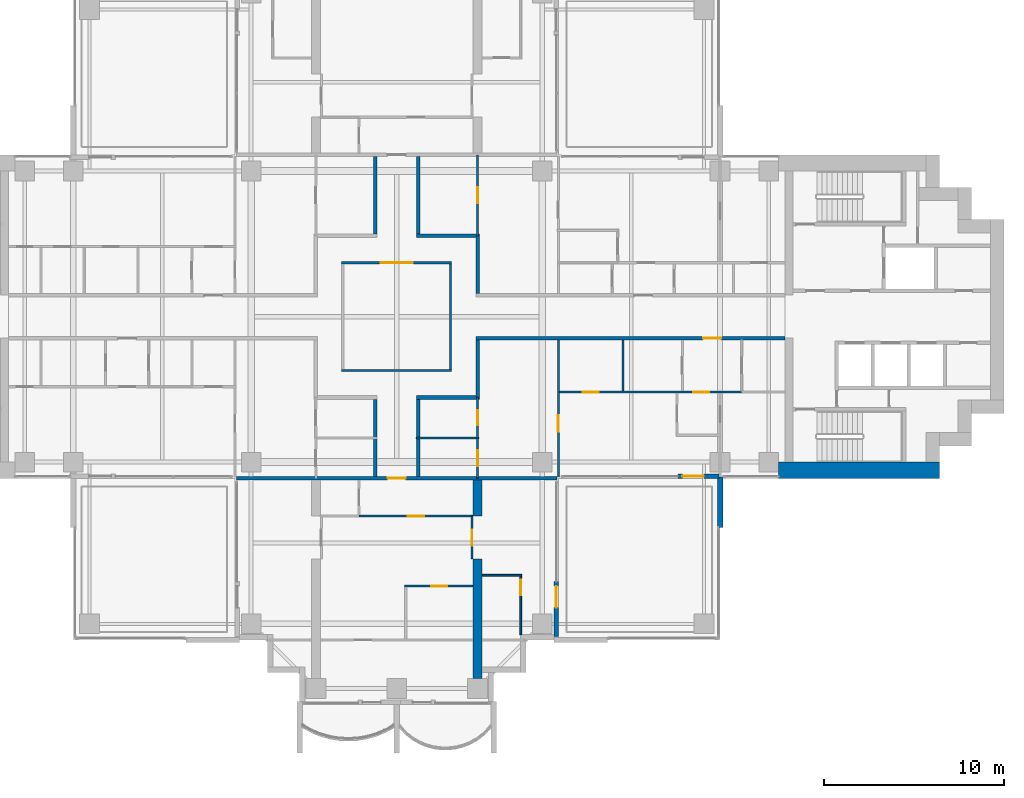
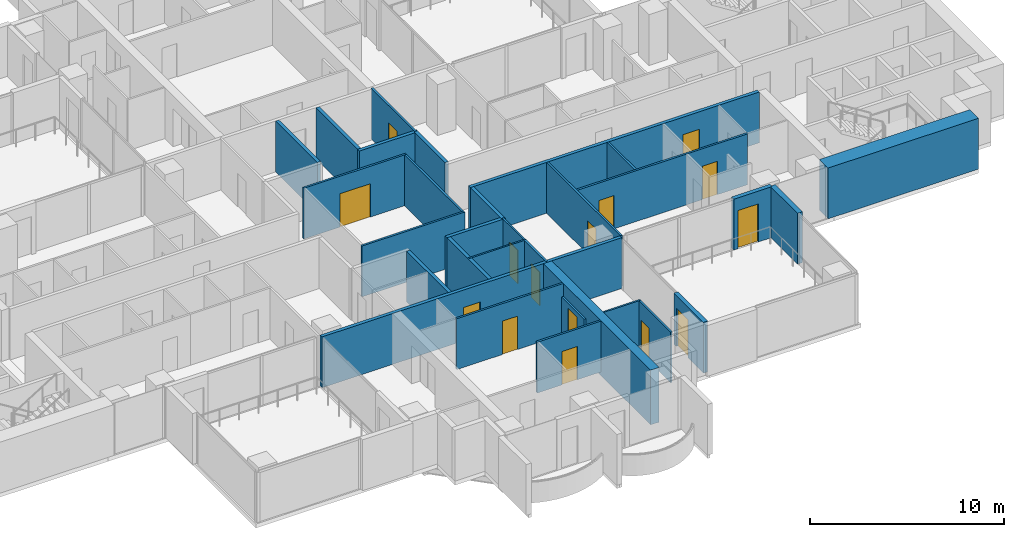
# One storey, part 11 of 19: 30 walls, 15 doors, 15 openings.
"""IFC4 building model written with IfcOpenShell, lengths in metres."""

from ifc_helpers import new_model, si_unit, direction, frame, frame_2d, origin, place, context, subcontext, project, spatial, polyline, rectangle, outline, extrude, material, layer, layer_set, material_profile, profile_set, type_object, element, fill, save


model = new_model("IFC4")

# Units and contexts
model_context = context("Model", 3, precision=1e-05, world=origin(), true_north=direction((0.0, 1.0)))
body_context = subcontext(model_context, "Body", "Model", "MODEL_VIEW")
ifc_project = project(units=[si_unit("LENGTHUNIT", "METRE"), si_unit("AREAUNIT", "SQUARE_METRE"), si_unit("VOLUMEUNIT", "CUBIC_METRE"), si_unit("PLANEANGLEUNIT", "RADIAN"), si_unit("MASSUNIT", "GRAM", prefix="KILO")], contexts=[model_context])

# Site, building, storey
site_placement = place(None, origin())
site = spatial("IfcSite", under=ifc_project, at=site_placement, CompositionType="ELEMENT")
building_placement = place(site_placement, origin())
building = spatial("IfcBuilding", under=site, at=building_placement, Name="Perihelion Cross Residences", CompositionType="ELEMENT")
storey_placement = place(building_placement, frame((0.0, 0.0, 151.39990234375)))
storey = spatial("IfcBuildingStorey", under=building, at=storey_placement, Name="L37", CompositionType="ELEMENT", Elevation=151.39990234375)

# Walls
ifc_material_1 = material(Name="Plasterboard partition")
ifc_layer_1 = layer(ifc_material_1, 0.199951171875)
ifc_layer_set_1 = layer_set([ifc_layer_1], Name="Apartment separation wall 200")
wall_type_1 = type_object("IfcWallType", Name="Apartment separation wall 200", PredefinedType="PARTITIONING", material=ifc_layer_set_1)
wall_1_placement = place(storey_placement, frame((4.5, 4.5, 0.0), z_axis=(0.0, 0.0, 1.0), x_axis=(0.0, -1.0, 0.0)))
element("IfcWall", 1, at=wall_1_placement, inside=storey, type_object=wall_type_1, Name="Partition L37 W006", PredefinedType="PARTITIONING", context=body_context, shape_type="SweptSolid", body=[
    extrude(rectangle(XDim=3.199951171875, YDim=0.199951171875, at=frame_2d((1.60009765625, 0.0))), origin(), (0.0, 0.0, 1.0), 3.2001953125),
])
wall_2_placement = place(storey_placement, frame((1.199951171875, 8.89990234375, 0.0), z_axis=(0.0, 0.0, 1.0), x_axis=(0.0, -1.0, 0.0)))
element("IfcWall", 2, at=wall_2_placement, inside=storey, type_object=wall_type_1, Name="Partition L37 W007", PredefinedType="PARTITIONING", context=body_context, shape_type="SweptSolid", body=[
    extrude(rectangle(XDim=4.2998046875, YDim=0.199951171875, at=frame_2d((2.14990234375, 0.0))), origin(), (0.0, 0.0, 1.0), 3.2001953125),
])
wall_3_placement = place(storey_placement, frame((1.10009765625, 4.5, 0.0), z_axis=(0.0, 0.0, 1.0), x_axis=(1.0, 0.0, 0.0)))
element("IfcWall", 3, at=wall_3_placement, inside=storey, type_object=wall_type_1, Name="Partition L37 W008", PredefinedType="PARTITIONING", context=body_context, shape_type="SweptSolid", body=[
    extrude(rectangle(XDim=3.5, YDim=0.199951171875, at=frame_2d((1.75, 0.0))), origin(), (0.0, 0.0, 1.0), 3.2001953125),
])

# Wall, opening, door
wall_4_placement = place(storey_placement, frame((21.60009765625, -1.199951171875, 0.0), z_axis=(0.0, 0.0, 1.0), x_axis=(-1.0, 0.0, 0.0)))
wall_4 = element("IfcWall", 4, at=wall_4_placement, inside=storey, type_object=wall_type_1, Name="Partition L37 W009", PredefinedType="PARTITIONING", context=body_context, shape_type="SweptSolid", body=[
    extrude(rectangle(XDim=17.2001953125, YDim=0.199951171875, at=frame_2d((8.60009765625, 0.0))), origin(), (0.0, 0.0, 1.0), 3.2001953125),
])
opening_1_placement = place(wall_4_placement, frame((3.550048828125, 0.0, 0.0)))
opening_1 = element("IfcOpeningElement", 5, at=opening_1_placement, cuts=wall_4, Name="Opening L37.A51", PredefinedType="OPENING", context=body_context, shape_type="SweptSolid", body=[
    extrude(rectangle(XDim=1.0, YDim=2.10009765625, at=frame_2d((0.5, 1.050048828125))), frame((0.0, 0.10986328125, 0.0), z_axis=(0.0, -1.0, 0.0), x_axis=(1.0, 0.0, 0.0)), (0.0, 0.0, 1.0), 0.219970703125),
])
ifc_material_2 = material(Name="Timber door leaf", Category="wood")
door_type_1 = type_object("IfcDoorType", Name="Flat entrance door 1000 x 2100", OperationType="SINGLE_SWING_LEFT", PredefinedType="DOOR", material=ifc_material_2)
door_1_placement = place(opening_1_placement, origin())
door_1 = element("IfcDoor", 6, at=door_1_placement, inside=storey, type_object=door_type_1, Name="Door L37.A51", OperationType="SINGLE_SWING_LEFT", OverallHeight=2.10009765625, OverallWidth=1.0, PredefinedType="DOOR", context=body_context, shape_type="SweptSolid", body=[
    extrude(rectangle(XDim=1.0, YDim=2.10009765625, at=frame_2d((0.5, 1.050048828125))), frame((0.0, 0.02490234375, 0.0), z_axis=(0.0, -1.0, 0.0), x_axis=(1.0, 0.0, 0.0)), (0.0, 0.0, 1.0), 0.050048828125),
])
fill(opening_1, door_1)

# Walls
wall_5_placement = place(storey_placement, frame((4.5, -1.300048828125, 0.0), z_axis=(0.0, 0.0, 1.0), x_axis=(0.0, -1.0, 0.0)))
element("IfcWall", 7, at=wall_5_placement, inside=storey, type_object=wall_type_1, Name="Partition L37 W010", PredefinedType="PARTITIONING", context=body_context, shape_type="SweptSolid", body=[
    extrude(rectangle(XDim=3.199951171875, YDim=0.199951171875, at=frame_2d((1.60009765625, 0.0))), origin(), (0.0, 0.0, 1.0), 3.2001953125),
])
wall_6_placement = place(storey_placement, frame((4.60009765625, -4.5, 0.0), z_axis=(0.0, 0.0, 1.0), x_axis=(-1.0, 0.0, 0.0)))
element("IfcWall", 8, at=wall_6_placement, inside=storey, type_object=wall_type_1, Name="Partition L37 W011", PredefinedType="PARTITIONING", context=body_context, shape_type="SweptSolid", body=[
    extrude(rectangle(XDim=3.5, YDim=0.199951171875, at=frame_2d((1.75, 0.0))), origin(), (0.0, 0.0, 1.0), 3.2001953125),
])
for number, where, z_axis, x_axis, name in (
    (9, (1.199951171875, -4.60009765625, 0.0), (0.0, 0.0, 1.0), (0.0, -1.0, 0.0), "Partition L37 W012"),
    (10, (-1.199951171875, 4.60009765625, 0.0), (0.0, 0.0, 1.0), (0.0, 1.0, 0.0), "Partition L37 W016"),
    (11, (-1.199951171875, -8.89990234375, 0.0), (0.0, 0.0, 1.0), (0.0, 1.0, 0.0), "Partition L37 W019"),
):
    element("IfcWall", number, at=place(storey_placement, frame(where, z_axis=z_axis, x_axis=x_axis)), inside=storey, type_object=wall_type_1, Name=name, PredefinedType="PARTITIONING", context=body_context, shape_type="SweptSolid", body=[
        extrude(rectangle(XDim=4.2998046875, YDim=0.199951171875, at=frame_2d((2.14990234375, 0.0))), origin(), (0.0, 0.0, 1.0), 3.2001953125),
    ])

# Wall, opening, door
wall_7_placement = place(storey_placement, frame((8.919921875, -9.0, 0.0), z_axis=(0.0, 0.0, 1.0), x_axis=(-1.0, 0.0, 0.0)))
wall_7 = element("IfcWall", 12, at=wall_7_placement, inside=storey, type_object=wall_type_1, Name="Partition L37 W022", PredefinedType="PARTITIONING", context=body_context, shape_type="SweptSolid", body=[
    extrude(rectangle(XDim=17.83984375, YDim=0.199951171875, at=frame_2d((8.919921875, 0.0))), origin(), (0.0, 0.0, 1.0), 3.2001953125),
])
opening_2_placement = place(wall_7_placement, frame((8.419921875, 0.0, 0.0)))
opening_2 = element("IfcOpeningElement", 13, at=opening_2_placement, cuts=wall_7, Name="Opening L37.A44", PredefinedType="OPENING", context=body_context, shape_type="SweptSolid", body=[
    extrude(rectangle(XDim=1.0, YDim=2.10009765625, at=frame_2d((0.5, 1.050048828125))), frame((0.0, 0.10986328125, 0.0), z_axis=(0.0, -1.0, 0.0), x_axis=(1.0, 0.0, 0.0)), (0.0, 0.0, 1.0), 0.219970703125),
])
door_2_placement = place(opening_2_placement, origin())
door_2 = element("IfcDoor", 14, at=door_2_placement, inside=storey, type_object=door_type_1, Name="Door L37.A44", OperationType="SINGLE_SWING_RIGHT", OverallHeight=2.10009765625, OverallWidth=1.0, PredefinedType="DOOR", context=body_context, shape_type="SweptSolid", body=[
    extrude(rectangle(XDim=1.0, YDim=2.10009765625, at=frame_2d((0.5, 1.050048828125))), frame((0.0, 0.02490234375, 0.0), z_axis=(0.0, -1.0, 0.0), x_axis=(1.0, 0.0, 0.0)), (0.0, 0.0, 1.0), 0.050048828125),
])
fill(opening_2, door_2)

ifc_material_3 = material(Name="Concrete C30/37, bronze-clad", Category="concrete")
ifc_layer_2 = layer(ifc_material_3, 0.25)
ifc_layer_set_2 = layer_set([ifc_layer_2], Name="Bronze-clad pier wall 250")
wall_type_2 = type_object("IfcWallType", Name="Bronze-clad pier wall 250", PredefinedType="SOLIDWALL", material=ifc_layer_set_2)
wall_8_placement = place(storey_placement, frame((8.875, -17.800048828125, 0.0), z_axis=(0.0, 0.0, 1.0), x_axis=(0.0, 1.0, 0.0)))
wall_8 = element("IfcWall", 15, at=wall_8_placement, inside=storey, type_object=wall_type_2, Name="Wall FW1 L37 south side east bay 1 pier", PredefinedType="SOLIDWALL", context=body_context, shape_type="SweptSolid", body=[
    extrude(rectangle(XDim=3.050048828125, YDim=0.25, at=frame_2d((1.52490234375, 0.0))), origin(), (0.0, 0.0, 1.0), 3.2001953125),
])
opening_3_placement = place(wall_8_placement, frame((1.60009765625, 0.0, 0.0)))
opening_3 = element("IfcOpeningElement", 16, at=opening_3_placement, cuts=wall_8, Name="Opening L37.E13", PredefinedType="OPENING", context=body_context, shape_type="SweptSolid", body=[
    extrude(rectangle(XDim=1.199951171875, YDim=2.39990234375, at=frame_2d((0.60009765625, 1.199951171875))), frame((0.0, 0.135009765625, 0.0), z_axis=(0.0, -1.0, 0.0), x_axis=(1.0, 0.0, 0.0)), (0.0, 0.0, 1.0), 0.27001953125),
])
ifc_material_4 = material(Name="Bronze anodised aluminium, glazed", Category="aluminium")
door_type_2 = type_object("IfcDoorType", Name="Balcony door 1200 x 2400", OperationType="NOTDEFINED", PredefinedType="DOOR", material=ifc_material_4)
door_3_placement = place(opening_3_placement, origin())
door_3 = element("IfcDoor", 17, at=door_3_placement, inside=storey, type_object=door_type_2, Name="Door L37.E13 south side east bay 1", OperationType="SINGLE_SWING_RIGHT", OverallHeight=2.39990234375, OverallWidth=1.199951171875, PredefinedType="DOOR", context=body_context, shape_type="SweptSolid", body=[
    extrude(rectangle(XDim=1.199951171875, YDim=2.39990234375, at=frame_2d((0.60009765625, 1.199951171875))), frame((0.0, 0.02490234375, 0.0), z_axis=(0.0, -1.0, 0.0), x_axis=(1.0, 0.0, 0.0)), (0.0, 0.0, 1.0), 0.050048828125),
])
fill(opening_3, door_3)

wall_9_placement = place(storey_placement, frame((15.64990234375, -8.875, 0.0), z_axis=(0.0, 0.0, 1.0), x_axis=(1.0, 0.0, 0.0)))
wall_9 = element("IfcWall", 18, at=wall_9_placement, inside=storey, type_object=wall_type_2, Name="Wall FW1 L37 east side south bay 1 pier", PredefinedType="SOLIDWALL", context=body_context, shape_type="SweptSolid", body=[
    extrude(rectangle(XDim=2.2900390625, YDim=0.25, at=frame_2d((1.14501953125, 0.0))), origin(), (0.0, 0.0, 1.0), 3.2001953125),
])
opening_4_placement = place(wall_9_placement, frame((0.25, 0.0, 0.0)))
opening_4 = element("IfcOpeningElement", 19, at=opening_4_placement, cuts=wall_9, Name="Opening L37.E14", PredefinedType="OPENING", context=body_context, shape_type="SweptSolid", body=[
    extrude(rectangle(XDim=1.199951171875, YDim=2.39990234375, at=frame_2d((0.60009765625, 1.199951171875))), frame((0.0, 0.135009765625, 0.0), z_axis=(0.0, -1.0, 0.0), x_axis=(1.0, 0.0, 0.0)), (0.0, 0.0, 1.0), 0.27001953125),
])
door_4_placement = place(opening_4_placement, origin())
door_4 = element("IfcDoor", 20, at=door_4_placement, inside=storey, type_object=door_type_2, Name="Door L37.E14 east side south bay 1", OperationType="SINGLE_SWING_LEFT", OverallHeight=2.39990234375, OverallWidth=1.199951171875, PredefinedType="DOOR", context=body_context, shape_type="SweptSolid", body=[
    extrude(rectangle(XDim=1.199951171875, YDim=2.39990234375, at=frame_2d((0.60009765625, 1.199951171875))), frame((0.0, 0.02490234375, 0.0), z_axis=(0.0, -1.0, 0.0), x_axis=(1.0, 0.0, 0.0)), (0.0, 0.0, 1.0), 0.050048828125),
])
fill(opening_4, door_4)

# Wall
ifc_material_5 = material(Name="Concrete C60/75", Category="concrete")
ifc_layer_3 = layer(ifc_material_5, 0.89990234375)
ifc_layer_set_3 = layer_set([ifc_layer_3], Name="Core wall, outer 900")
wall_type_3 = type_object("IfcWallType", Name="Core wall, outer 900", PredefinedType="SHEAR", material=ifc_layer_set_3)
wall_10_placement = place(storey_placement, frame((21.25, -8.550048828125, 0.0), z_axis=(0.0, 0.0, 1.0), x_axis=(1.0, 0.0, 0.0)))
element("IfcWall", 21, at=wall_10_placement, inside=storey, type_object=wall_type_3, Name="East core core wall, outer", PredefinedType="SHEAR", context=body_context, shape_type="SweptSolid", body=[
    extrude(rectangle(XDim=8.949951171875, YDim=0.89990234375, at=frame_2d((4.47509765625, 0.0))), origin(), (0.0, 0.0, 1.0), 3.2001953125),
])

# Wall, opening, door
ifc_material_6 = material(Name="Plasterboard partition")
ifc_layer_4 = layer(ifc_material_6, 0.1201171875)
ifc_layer_set_4 = layer_set([ifc_layer_4], Name="Infill panel 120")
wall_type_4 = type_object("IfcWallType", Name="Infill panel 120", PredefinedType="PARTITIONING", material=ifc_layer_set_4)
wall_11_placement = place(storey_placement, frame((4.18994140625, -11.10009765625, 0.0), z_axis=(0.0, 0.0, 1.0), x_axis=(0.0, -1.0, 0.0)))
wall_11 = element("IfcWall", 22, at=wall_11_placement, inside=storey, type_object=wall_type_4, Name="Partition L37 WI05", PredefinedType="PARTITIONING", context=body_context, shape_type="SweptSolid", body=[
    extrude(rectangle(XDim=2.39990234375, YDim=0.1201171875, at=frame_2d((1.199951171875, 0.0))), origin(), (0.0, 0.0, 1.0), 2.400146484375),
])
opening_5_placement = place(wall_11_placement, frame((0.75, 0.0, 0.0)))
opening_5 = element("IfcOpeningElement", 23, at=opening_5_placement, cuts=wall_11, Name="Opening L37.A58", PredefinedType="OPENING", context=body_context, shape_type="SweptSolid", body=[
    extrude(rectangle(XDim=0.89990234375, YDim=2.10009765625, at=frame_2d((0.449951171875, 1.050048828125))), frame((0.0, 0.070068359375, 0.0), z_axis=(0.0, -1.0, 0.0), x_axis=(1.0, 0.0, 0.0)), (0.0, 0.0, 1.0), 0.14013671875),
])
ifc_material_7 = material(Name="Timber door leaf", Category="wood")
door_type_3 = type_object("IfcDoorType", Name="Interior room door 900 x 2100", OperationType="SINGLE_SWING_LEFT", PredefinedType="DOOR", material=ifc_material_7)
door_5_placement = place(opening_5_placement, origin())
door_5 = element("IfcDoor", 24, at=door_5_placement, inside=storey, type_object=door_type_3, Name="Door L37.A58", OperationType="SINGLE_SWING_LEFT", OverallHeight=2.10009765625, OverallWidth=0.89990234375, PredefinedType="DOOR", context=body_context, shape_type="SweptSolid", body=[
    extrude(rectangle(XDim=0.89990234375, YDim=2.10009765625, at=frame_2d((0.449951171875, 1.050048828125))), frame((0.0, 0.02490234375, 0.0), z_axis=(0.0, -1.0, 0.0), x_axis=(1.0, 0.0, 0.0)), (0.0, 0.0, 1.0), 0.050048828125),
])
fill(opening_5, door_5)

# Walls
ifc_material_8 = material(Name="Plasterboard partition")
ifc_layer_5 = layer(ifc_material_8, 0.1201171875)
ifc_layer_set_5 = layer_set([ifc_layer_5], Name="Partition wall 120")
wall_type_5 = type_object("IfcWallType", Name="Partition wall 120", PredefinedType="PARTITIONING", material=ifc_layer_set_5)
wall_12_placement = place(storey_placement, frame((-3.06005859375, -3.0, 0.0), z_axis=(0.0, 0.0, 1.0), x_axis=(1.0, 0.0, 0.0)))
element("IfcWall", 25, at=wall_12_placement, inside=storey, type_object=wall_type_5, Name="Partition L37 W001", PredefinedType="PARTITIONING", context=body_context, shape_type="SweptSolid", body=[
    extrude(rectangle(XDim=6.1201171875, YDim=0.1201171875, at=frame_2d((3.06005859375, 0.0))), origin(), (0.0, 0.0, 1.0), 3.2001953125),
])
wall_13_placement = place(storey_placement, frame((3.0, -2.93994140625, 0.0), z_axis=(0.0, 0.0, 1.0), x_axis=(0.0, 1.0, 0.0)))
element("IfcWall", 26, at=wall_13_placement, inside=storey, type_object=wall_type_5, Name="Partition L37 W002", PredefinedType="PARTITIONING", context=body_context, shape_type="SweptSolid", body=[
    extrude(rectangle(XDim=5.8798828125, YDim=0.1201171875, at=frame_2d((2.93994140625, 0.0))), origin(), (0.0, 0.0, 1.0), 3.2001953125),
])

# Wall, opening, door
wall_14_placement = place(storey_placement, frame((3.06005859375, 3.0, 0.0), z_axis=(0.0, 0.0, 1.0), x_axis=(-1.0, 0.0, 0.0)))
wall_14 = element("IfcWall", 27, at=wall_14_placement, inside=storey, type_object=wall_type_5, Name="Partition L37 W003", PredefinedType="PARTITIONING", context=body_context, shape_type="SweptSolid", body=[
    extrude(rectangle(XDim=6.1201171875, YDim=0.1201171875, at=frame_2d((3.06005859375, 0.0))), origin(), (0.0, 0.0, 1.0), 3.2001953125),
])
opening_6_placement = place(wall_14_placement, frame((2.159912109375, 0.0, 0.0)))
opening_6 = element("IfcOpeningElement", 28, at=opening_6_placement, cuts=wall_14, Name="Opening L37.A01", PredefinedType="OPENING", context=body_context, shape_type="SweptSolid", body=[
    extrude(rectangle(XDim=1.800048828125, YDim=2.10009765625, at=frame_2d((0.89990234375, 1.050048828125))), frame((0.0, 0.070068359375, 0.0), z_axis=(0.0, -1.0, 0.0), x_axis=(1.0, 0.0, 0.0)), (0.0, 0.0, 1.0), 0.14013671875),
])
ifc_material_9 = material(Name="Glazed timber door leaf", Category="wood")
door_type_4 = type_object("IfcDoorType", Name="Interior double leaf door 1800 x 2100", OperationType="DOUBLE_DOOR_SINGLE_SWING", PredefinedType="DOOR", material=ifc_material_9)
door_6_placement = place(opening_6_placement, origin())
door_6 = element("IfcDoor", 29, at=door_6_placement, inside=storey, type_object=door_type_4, Name="Door L37.A01", OperationType="SINGLE_SWING_LEFT", OverallHeight=2.10009765625, OverallWidth=1.800048828125, PredefinedType="DOOR", context=body_context, shape_type="SweptSolid", body=[
    extrude(rectangle(XDim=1.800048828125, YDim=2.10009765625, at=frame_2d((0.89990234375, 1.050048828125))), frame((0.0, 0.02490234375, 0.0), z_axis=(0.0, -1.0, 0.0), x_axis=(1.0, 0.0, 0.0)), (0.0, 0.0, 1.0), 0.050048828125),
])
fill(opening_6, door_6)

wall_15_placement = place(storey_placement, frame((4.5, 4.5, 0.0), z_axis=(0.0, 0.0, 1.0), x_axis=(0.0, 1.0, 0.0)))
wall_15 = element("IfcWall", 30, at=wall_15_placement, inside=storey, type_object=wall_type_5, Name="Partition L37 W033", PredefinedType="PARTITIONING", context=body_context, shape_type="SweptSolid", body=[
    extrude(rectangle(XDim=4.5, YDim=0.1201171875, at=frame_2d((2.25, 0.0))), origin(), (0.0, 0.0, 1.0), 3.2001953125),
])
opening_7_placement = place(wall_15_placement, frame((1.800048828125, 0.0, 0.0)))
opening_7 = element("IfcOpeningElement", 31, at=opening_7_placement, cuts=wall_15, Name="Opening L37.A03", PredefinedType="OPENING", context=body_context, shape_type="SweptSolid", body=[
    extrude(rectangle(XDim=0.89990234375, YDim=2.10009765625, at=frame_2d((0.449951171875, 1.050048828125))), frame((0.0, 0.070068359375, 0.0), z_axis=(0.0, -1.0, 0.0), x_axis=(1.0, 0.0, 0.0)), (0.0, 0.0, 1.0), 0.14013671875),
])
door_7_placement = place(opening_7_placement, origin())
door_7 = element("IfcDoor", 32, at=door_7_placement, inside=storey, type_object=door_type_3, Name="Door L37.A03", OperationType="SINGLE_SWING_LEFT", OverallHeight=2.10009765625, OverallWidth=0.89990234375, PredefinedType="DOOR", context=body_context, shape_type="SweptSolid", body=[
    extrude(rectangle(XDim=0.89990234375, YDim=2.10009765625, at=frame_2d((0.449951171875, 1.050048828125))), frame((0.0, 0.02490234375, 0.0), z_axis=(0.0, -1.0, 0.0), x_axis=(1.0, 0.0, 0.0)), (0.0, 0.0, 1.0), 0.050048828125),
])
fill(opening_7, door_7)

# Wall
wall_16_placement = place(storey_placement, frame((12.60009765625, -1.300048828125, 0.0), z_axis=(0.0, 0.0, 1.0), x_axis=(0.0, -1.0, 0.0)))
element("IfcWall", 33, at=wall_16_placement, inside=storey, type_object=wall_type_5, Name="Partition L37 W034", PredefinedType="PARTITIONING", context=body_context, shape_type="SweptSolid", body=[
    extrude(rectangle(XDim=2.83984375, YDim=0.1201171875, at=frame_2d((1.419921875, 0.0))), origin(), (0.0, 0.0, 1.0), 3.2001953125),
])

# Wall, openings, doors
wall_17_placement = place(storey_placement, frame((19.199951171875, -4.199951171875, 0.0), z_axis=(0.0, 0.0, 1.0), x_axis=(-1.0, 0.0, 0.0)))
wall_17 = element("IfcWall", 34, at=wall_17_placement, inside=storey, type_object=wall_type_5, Name="Partition L37 W035", PredefinedType="PARTITIONING", context=body_context, shape_type="SweptSolid", body=[
    extrude(rectangle(XDim=10.260009765625, YDim=0.1201171875, at=frame_2d((5.1298828125, 0.0))), origin(), (0.0, 0.0, 1.0), 3.2001953125),
])
opening_8_placement = place(wall_17_placement, frame((1.800048828125, 0.0, 0.0)))
opening_8 = element("IfcOpeningElement", 35, at=opening_8_placement, cuts=wall_17, Name="Opening L37.A17", PredefinedType="OPENING", context=body_context, shape_type="SweptSolid", body=[
    extrude(rectangle(XDim=0.89990234375, YDim=2.10009765625, at=frame_2d((0.449951171875, 1.050048828125))), frame((0.0, 0.070068359375, 0.0), z_axis=(0.0, -1.0, 0.0), x_axis=(1.0, 0.0, 0.0)), (0.0, 0.0, 1.0), 0.14013671875),
])
opening_9_placement = place(wall_17_placement, frame((7.949951171875, 0.0, 0.0)))
opening_9 = element("IfcOpeningElement", 36, at=opening_9_placement, cuts=wall_17, Name="Opening L37.A18", PredefinedType="OPENING", context=body_context, shape_type="SweptSolid", body=[
    extrude(rectangle(XDim=0.89990234375, YDim=2.10009765625, at=frame_2d((0.449951171875, 1.050048828125))), frame((0.0, 0.070068359375, 0.0), z_axis=(0.0, -1.0, 0.0), x_axis=(1.0, 0.0, 0.0)), (0.0, 0.0, 1.0), 0.14013671875),
])
door_8_placement = place(opening_8_placement, origin())
door_8 = element("IfcDoor", 37, at=door_8_placement, inside=storey, type_object=door_type_3, Name="Door L37.A17", OperationType="SINGLE_SWING_LEFT", OverallHeight=2.10009765625, OverallWidth=0.89990234375, PredefinedType="DOOR", context=body_context, shape_type="SweptSolid", body=[
    extrude(rectangle(XDim=0.89990234375, YDim=2.10009765625, at=frame_2d((0.449951171875, 1.050048828125))), frame((0.0, 0.02490234375, 0.0), z_axis=(0.0, -1.0, 0.0), x_axis=(1.0, 0.0, 0.0)), (0.0, 0.0, 1.0), 0.050048828125),
])
fill(opening_8, door_8)
door_9_placement = place(opening_9_placement, origin())
door_9 = element("IfcDoor", 38, at=door_9_placement, inside=storey, type_object=door_type_3, Name="Door L37.A18", OperationType="SINGLE_SWING_RIGHT", OverallHeight=2.10009765625, OverallWidth=0.89990234375, PredefinedType="DOOR", context=body_context, shape_type="SweptSolid", body=[
    extrude(rectangle(XDim=0.89990234375, YDim=2.10009765625, at=frame_2d((0.449951171875, 1.050048828125))), frame((0.0, 0.02490234375, 0.0), z_axis=(0.0, -1.0, 0.0), x_axis=(1.0, 0.0, 0.0)), (0.0, 0.0, 1.0), 0.050048828125),
])
fill(opening_9, door_9)

# Wall, opening, door
wall_18_placement = place(storey_placement, frame((9.0, -8.919921875, 0.0), z_axis=(0.0, 0.0, 1.0), x_axis=(0.0, 1.0, 0.0)))
wall_18 = element("IfcWall", 39, at=wall_18_placement, inside=storey, type_object=wall_type_5, Name="Partition L37 W036", PredefinedType="PARTITIONING", context=body_context, shape_type="SweptSolid", body=[
    extrude(rectangle(XDim=7.619873046875, YDim=0.1201171875, at=frame_2d((3.81005859375, 0.0))), origin(), (0.0, 0.0, 1.0), 3.2001953125),
])
opening_10_placement = place(wall_18_placement, frame((2.52001953125, 0.0, 0.0)))
opening_10 = element("IfcOpeningElement", 40, at=opening_10_placement, cuts=wall_18, Name="Opening L37.A12", PredefinedType="OPENING", context=body_context, shape_type="SweptSolid", body=[
    extrude(rectangle(XDim=0.89990234375, YDim=2.10009765625, at=frame_2d((0.449951171875, 1.050048828125))), frame((0.0, 0.070068359375, 0.0), z_axis=(0.0, -1.0, 0.0), x_axis=(1.0, 0.0, 0.0)), (0.0, 0.0, 1.0), 0.14013671875),
])
door_10_placement = place(opening_10_placement, origin())
door_10 = element("IfcDoor", 41, at=door_10_placement, inside=storey, type_object=door_type_3, Name="Door L37.A12", OperationType="SINGLE_SWING_RIGHT", OverallHeight=2.10009765625, OverallWidth=0.89990234375, PredefinedType="DOOR", context=body_context, shape_type="SweptSolid", body=[
    extrude(rectangle(XDim=0.89990234375, YDim=2.10009765625, at=frame_2d((0.449951171875, 1.050048828125))), frame((0.0, 0.02490234375, 0.0), z_axis=(0.0, -1.0, 0.0), x_axis=(1.0, 0.0, 0.0)), (0.0, 0.0, 1.0), 0.050048828125),
])
fill(opening_10, door_10)

wall_19_placement = place(storey_placement, frame((4.5, -9.0, 0.0), z_axis=(0.0, 0.0, 1.0), x_axis=(0.0, 1.0, 0.0)))
wall_19 = element("IfcWall", 42, at=wall_19_placement, inside=storey, type_object=wall_type_5, Name="Partition L37 W044", PredefinedType="PARTITIONING", context=body_context, shape_type="SweptSolid", body=[
    extrude(rectangle(XDim=2.25, YDim=0.1201171875, at=frame_2d((1.125, 0.0))), origin(), (0.0, 0.0, 1.0), 3.2001953125),
])
opening_11_placement = place(wall_19_placement, frame((0.675048828125, 0.0, 0.0)))
opening_11 = element("IfcOpeningElement", 43, at=opening_11_placement, cuts=wall_19, Name="Opening L37.A14", PredefinedType="OPENING", context=body_context, shape_type="SweptSolid", body=[
    extrude(rectangle(XDim=0.89990234375, YDim=2.10009765625, at=frame_2d((0.449951171875, 1.050048828125))), frame((0.0, 0.070068359375, 0.0), z_axis=(0.0, -1.0, 0.0), x_axis=(1.0, 0.0, 0.0)), (0.0, 0.0, 1.0), 0.14013671875),
])
door_11_placement = place(opening_11_placement, origin())
door_11 = element("IfcDoor", 44, at=door_11_placement, inside=storey, type_object=door_type_3, Name="Door L37.A14", OperationType="SINGLE_SWING_LEFT", OverallHeight=2.10009765625, OverallWidth=0.89990234375, PredefinedType="DOOR", context=body_context, shape_type="SweptSolid", body=[
    extrude(rectangle(XDim=0.89990234375, YDim=2.10009765625, at=frame_2d((0.449951171875, 1.050048828125))), frame((0.0, 0.02490234375, 0.0), z_axis=(0.0, -1.0, 0.0), x_axis=(1.0, 0.0, 0.0)), (0.0, 0.0, 1.0), 0.050048828125),
])
fill(opening_11, door_11)

wall_20_placement = place(storey_placement, frame((4.25, -11.10009765625, 0.0), z_axis=(0.0, 0.0, 1.0), x_axis=(-1.0, 0.0, 0.0)))
wall_20 = element("IfcWall", 45, at=wall_20_placement, inside=storey, type_object=wall_type_5, Name="Partition L37 W088", PredefinedType="PARTITIONING", context=body_context, shape_type="SweptSolid", body=[
    extrude(rectangle(XDim=6.35009765625, YDim=0.1201171875, at=frame_2d((3.175048828125, 0.0))), origin(), (0.0, 0.0, 1.0), 3.2001953125),
])
opening_12_placement = place(wall_20_placement, frame((2.72509765625, 0.0, 0.0)))
opening_12 = element("IfcOpeningElement", 46, at=opening_12_placement, cuts=wall_20, Name="Opening L37.A46", PredefinedType="OPENING", context=body_context, shape_type="SweptSolid", body=[
    extrude(rectangle(XDim=0.89990234375, YDim=2.10009765625, at=frame_2d((0.449951171875, 1.050048828125))), frame((0.0, 0.070068359375, 0.0), z_axis=(0.0, -1.0, 0.0), x_axis=(1.0, 0.0, 0.0)), (0.0, 0.0, 1.0), 0.14013671875),
])
door_12_placement = place(opening_12_placement, origin())
door_12 = element("IfcDoor", 47, at=door_12_placement, inside=storey, type_object=door_type_3, Name="Door L37.A46", OperationType="SINGLE_SWING_LEFT", OverallHeight=2.10009765625, OverallWidth=0.89990234375, PredefinedType="DOOR", context=body_context, shape_type="SweptSolid", body=[
    extrude(rectangle(XDim=0.89990234375, YDim=2.10009765625, at=frame_2d((0.449951171875, 1.050048828125))), frame((0.0, 0.02490234375, 0.0), z_axis=(0.0, -1.0, 0.0), x_axis=(1.0, 0.0, 0.0)), (0.0, 0.0, 1.0), 0.050048828125),
])
fill(opening_12, door_12)

wall_21_placement = place(storey_placement, frame((4.25, -15.0, 0.0), z_axis=(0.0, 0.0, 1.0), x_axis=(-1.0, 0.0, 0.0)))
wall_21 = element("IfcWall", 48, at=wall_21_placement, inside=storey, type_object=wall_type_5, Name="Partition L37 W090", PredefinedType="PARTITIONING", context=body_context, shape_type="SweptSolid", body=[
    extrude(rectangle(XDim=3.81005859375, YDim=0.1201171875, at=frame_2d((1.905029296875, 0.0))), origin(), (0.0, 0.0, 1.0), 3.2001953125),
])
opening_13_placement = place(wall_21_placement, frame((1.425048828125, 0.0, 0.0)))
opening_13 = element("IfcOpeningElement", 49, at=opening_13_placement, cuts=wall_21, Name="Opening L37.A47", PredefinedType="OPENING", context=body_context, shape_type="SweptSolid", body=[
    extrude(rectangle(XDim=0.89990234375, YDim=2.10009765625, at=frame_2d((0.449951171875, 1.050048828125))), frame((0.0, 0.070068359375, 0.0), z_axis=(0.0, -1.0, 0.0), x_axis=(1.0, 0.0, 0.0)), (0.0, 0.0, 1.0), 0.14013671875),
])
door_13_placement = place(opening_13_placement, origin())
door_13 = element("IfcDoor", 50, at=door_13_placement, inside=storey, type_object=door_type_3, Name="Door L37.A47", OperationType="SINGLE_SWING_RIGHT", OverallHeight=2.10009765625, OverallWidth=0.89990234375, PredefinedType="DOOR", context=body_context, shape_type="SweptSolid", body=[
    extrude(rectangle(XDim=0.89990234375, YDim=2.10009765625, at=frame_2d((0.449951171875, 1.050048828125))), frame((0.0, 0.02490234375, 0.0), z_axis=(0.0, -1.0, 0.0), x_axis=(1.0, 0.0, 0.0)), (0.0, 0.0, 1.0), 0.050048828125),
])
fill(opening_13, door_13)

# Walls
ifc_material_10 = material(Name="Precast concrete C50/60", Category="concrete")
ifc_layer_6 = layer(ifc_material_10, 0.300048828125)
ifc_layer_set_6 = layer_set([ifc_layer_6], Name="Precast concrete C50/60 blade wall 300")
wall_type_6 = type_object("IfcWallType", Name="Precast concrete C50/60 blade wall 300", PredefinedType="SOLIDWALL", material=ifc_layer_set_6)
wall_22_placement = place(storey_placement, frame((18.0, -8.919921875, 0.0), z_axis=(0.0, 0.0, 1.0), x_axis=(0.0, -1.0, 0.0)))
element("IfcWall", 51, at=wall_22_placement, inside=storey, type_object=wall_type_6, Name="Wall BL1 L37 no. 10", PredefinedType="SOLIDWALL", context=body_context, shape_type="SweptSolid", body=[
    extrude(rectangle(XDim=2.820068359375, YDim=0.300048828125, at=frame_2d((1.41015625, 0.0))), origin(), (0.0, 0.0, 1.0), 3.2001953125),
])
ifc_material_11 = material(Name="Concrete C60/75", Category="concrete")
ifc_material_profile = material_profile(ifc_material_11, outline(polyline([(0.0, 0.0), (6.64990234375, 0.0), (6.64990234375, 2.64990234375), (9.050048828125, 2.64990234375), (9.050048828125, 0.0), (11.14990234375, 0.0), (11.14990234375, 3.449951171875), (0.0, 3.449951171875), (0.0, 0.0)])), Name="Tip spine wall")
ifc_profile_set = profile_set([ifc_material_profile], Name="Concrete C60/75")
wall_type_7 = type_object("IfcWallType", Name="Tip spine wall 500 with 1 door openings 11150 long 3450 high concrete C60/75", PredefinedType="SHEAR", material=ifc_profile_set)
wall_23_placement = place(storey_placement, frame((4.25, -20.14990234375, -0.25), z_axis=(1.0, 0.0, 0.0), x_axis=(0.0, 1.0, 0.0)))
element("IfcWall", 52, at=wall_23_placement, inside=storey, type_object=wall_type_7, Name="Shear wall SW35 L37 south east", PredefinedType="SHEAR", context=body_context, shape_type="SweptSolid", body=[
    extrude(outline(polyline([(0.0, 0.0), (6.64990234375, 0.0), (6.64990234375, 2.64990234375), (9.050048828125, 2.64990234375), (9.050048828125, 0.0), (11.14990234375, 0.0), (11.14990234375, 3.449951171875), (0.0, 3.449951171875), (0.0, 0.0)])), origin(), (0.0, 0.0, 1.0), 0.5),
])

# Wall, opening, door
ifc_material_12 = material(Name="Plasterboard partition")
ifc_layer_7 = layer(ifc_material_12, 0.10009765625)
ifc_layer_set_7 = layer_set([ifc_layer_7], Name="Wet room wall 100")
wall_type_8 = type_object("IfcWallType", Name="Wet room wall 100", PredefinedType="PARTITIONING", material=ifc_layer_set_7)
wall_24_placement = place(storey_placement, frame((4.5, -6.75, 0.0), z_axis=(0.0, 0.0, 1.0), x_axis=(0.0, 1.0, 0.0)))
wall_24 = element("IfcWall", 53, at=wall_24_placement, inside=storey, type_object=wall_type_8, Name="Partition L37 W043", PredefinedType="PARTITIONING", context=body_context, shape_type="SweptSolid", body=[
    extrude(rectangle(XDim=2.25, YDim=0.10009765625, at=frame_2d((1.125, 0.0))), origin(), (0.0, 0.0, 1.0), 3.2001953125),
])
opening_14_placement = place(wall_24_placement, frame((0.699951171875, 0.0, 0.0)))
opening_14 = element("IfcOpeningElement", 54, at=opening_14_placement, cuts=wall_24, Name="Opening L37.A10", PredefinedType="OPENING", context=body_context, shape_type="SweptSolid", body=[
    extrude(rectangle(XDim=0.85009765625, YDim=2.10009765625, at=frame_2d((0.425048828125, 1.050048828125))), frame((0.0, 0.06005859375, 0.0), z_axis=(0.0, -1.0, 0.0), x_axis=(1.0, 0.0, 0.0)), (0.0, 0.0, 1.0), 0.1201171875),
])
ifc_material_13 = material(Name="Timber door leaf", Category="wood")
door_type_5 = type_object("IfcDoorType", Name="Interior bathroom door 850 x 2100", OperationType="SINGLE_SWING_LEFT", PredefinedType="DOOR", material=ifc_material_13)
door_14_placement = place(opening_14_placement, origin())
door_14 = element("IfcDoor", 55, at=door_14_placement, inside=storey, type_object=door_type_5, Name="Door L37.A10", OperationType="SINGLE_SWING_RIGHT", OverallHeight=2.10009765625, OverallWidth=0.85009765625, PredefinedType="DOOR", context=body_context, shape_type="SweptSolid", body=[
    extrude(rectangle(XDim=0.85009765625, YDim=2.10009765625, at=frame_2d((0.425048828125, 1.050048828125))), frame((0.0, 0.02490234375, 0.0), z_axis=(0.0, -1.0, 0.0), x_axis=(1.0, 0.0, 0.0)), (0.0, 0.0, 1.0), 0.050048828125),
])
fill(opening_14, door_14)

# Wall
wall_25_placement = place(storey_placement, frame((4.56005859375, -6.75, 0.0), z_axis=(0.0, 0.0, 1.0), x_axis=(-1.0, 0.0, 0.0)))
element("IfcWall", 56, at=wall_25_placement, inside=storey, type_object=wall_type_8, Name="Partition L37 W045", PredefinedType="PARTITIONING", context=body_context, shape_type="SweptSolid", body=[
    extrude(rectangle(XDim=3.4599609375, YDim=0.10009765625, at=frame_2d((1.72998046875, 0.0))), origin(), (0.0, 0.0, 1.0), 3.2001953125),
])

# Wall, opening, door
wall_26_placement = place(storey_placement, frame((6.89990234375, -17.699951171875, 0.0), z_axis=(0.0, 0.0, 1.0), x_axis=(0.0, 1.0, 0.0)))
wall_26 = element("IfcWall", 57, at=wall_26_placement, inside=storey, type_object=wall_type_8, Name="Partition L37 W093", PredefinedType="PARTITIONING", context=body_context, shape_type="SweptSolid", body=[
    extrude(rectangle(XDim=3.25, YDim=0.10009765625, at=frame_2d((1.625, 0.0))), origin(), (0.0, 0.0, 1.0), 3.2001953125),
])
opening_15_placement = place(wall_26_placement, frame((2.199951171875, 0.0, 0.0)))
opening_15 = element("IfcOpeningElement", 58, at=opening_15_placement, cuts=wall_26, Name="Opening L37.A49", PredefinedType="OPENING", context=body_context, shape_type="SweptSolid", body=[
    extrude(rectangle(XDim=0.85009765625, YDim=2.10009765625, at=frame_2d((0.425048828125, 1.050048828125))), frame((0.0, 0.06005859375, 0.0), z_axis=(0.0, -1.0, 0.0), x_axis=(1.0, 0.0, 0.0)), (0.0, 0.0, 1.0), 0.1201171875),
])
door_15_placement = place(opening_15_placement, origin())
door_15 = element("IfcDoor", 59, at=door_15_placement, inside=storey, type_object=door_type_5, Name="Door L37.A49", OperationType="SINGLE_SWING_RIGHT", OverallHeight=2.10009765625, OverallWidth=0.85009765625, PredefinedType="DOOR", context=body_context, shape_type="SweptSolid", body=[
    extrude(rectangle(XDim=0.85009765625, YDim=2.10009765625, at=frame_2d((0.425048828125, 1.050048828125))), frame((0.0, 0.02490234375, 0.0), z_axis=(0.0, -1.0, 0.0), x_axis=(1.0, 0.0, 0.0)), (0.0, 0.0, 1.0), 0.050048828125),
])
fill(opening_15, door_15)

# Wall
wall_27_placement = place(storey_placement, frame((6.949951171875, -14.39990234375, 0.0), z_axis=(0.0, 0.0, 1.0), x_axis=(-1.0, 0.0, 0.0)))
element("IfcWall", 60, at=wall_27_placement, inside=storey, type_object=wall_type_8, Name="Partition L37 W094", PredefinedType="PARTITIONING", context=body_context, shape_type="SweptSolid", body=[
    extrude(rectangle(XDim=2.199951171875, YDim=0.10009765625, at=frame_2d((1.10009765625, 0.0))), origin(), (0.0, 0.0, 1.0), 3.2001953125),
])

save(model, "model.ifc")
